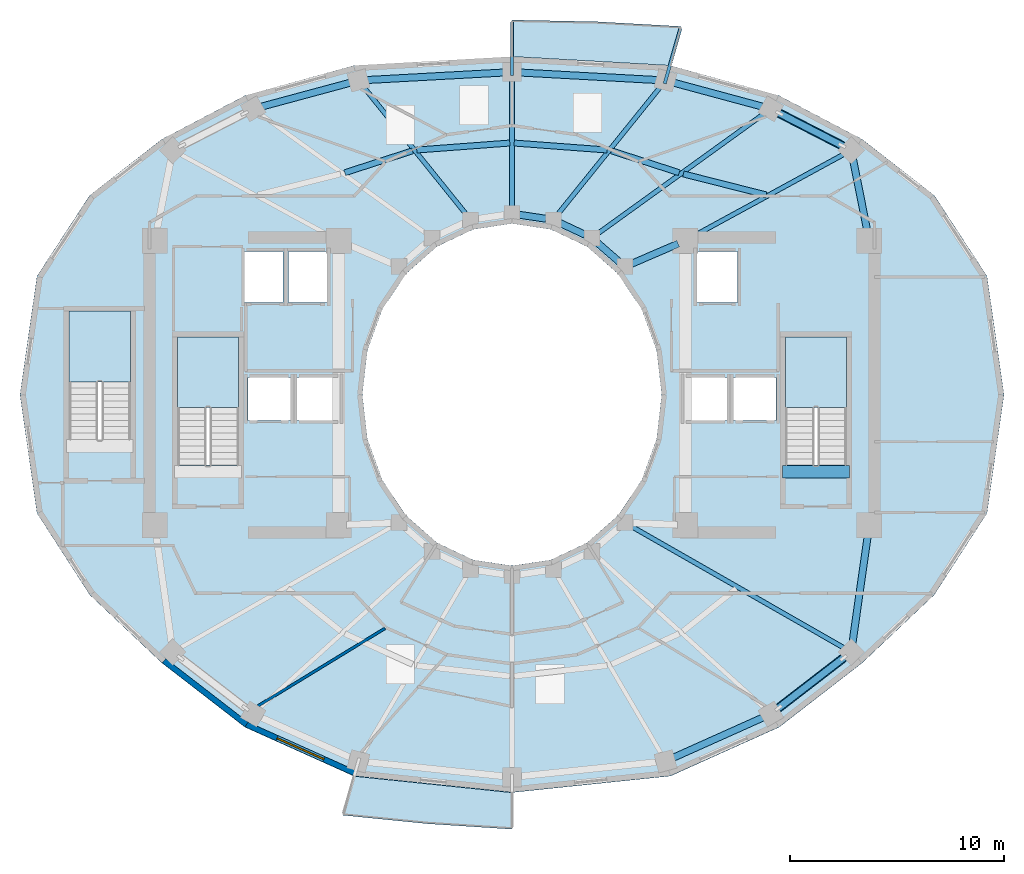
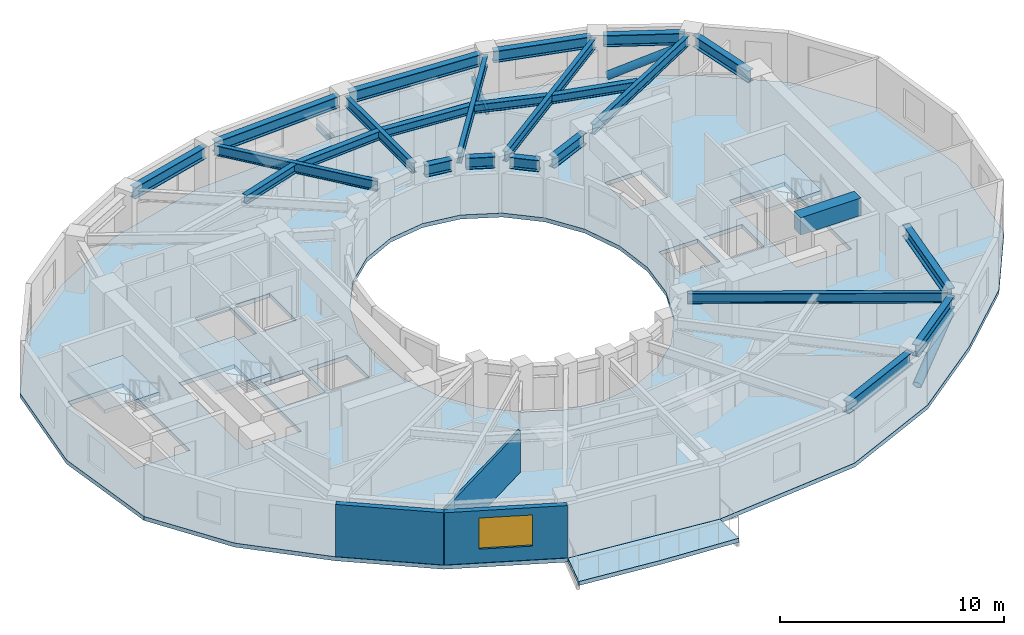
# One storey, part 2 of 9: 27 beams, 6 slabs, 3 walls, 2 members, 1 window, 1 opening, 3 elements without a shape of their own.
"""IFC4 building model written with IfcOpenShell, lengths in metres."""

from ifc_helpers import new_model, si_unit, direction, frame, frame_2d, origin, origin_2d, place, context, subcontext, project, spatial, polyline, rectangle, hollow_rectangle, hollow_circle, i_section, outline, extrude, material, layer, layer_set, material_profile, profile_set, type_object, element, fill, aggregate, save


model = new_model("IFC4")

# Units and contexts
model_context = context("Model", 3, precision=1e-05, world=origin(), true_north=direction((0.0, 1.0)))
body_context = subcontext(model_context, "Body", "Model", "MODEL_VIEW")
ifc_project = project(units=[si_unit("LENGTHUNIT", "METRE"), si_unit("AREAUNIT", "SQUARE_METRE"), si_unit("VOLUMEUNIT", "CUBIC_METRE"), si_unit("PLANEANGLEUNIT", "RADIAN"), si_unit("MASSUNIT", "GRAM", prefix="KILO")], contexts=[model_context])

# Site, building, storey
site_placement = place(None, origin())
site = spatial("IfcSite", under=ifc_project, at=site_placement, CompositionType="ELEMENT")
building_placement = place(site_placement, origin())
building = spatial("IfcBuilding", under=site, at=building_placement, Name="Solvane Sanctuary Tower", CompositionType="ELEMENT")
storey_placement = place(building_placement, frame((0.0, 0.0, 174.60009765625)))
storey = spatial("IfcBuildingStorey", under=building, at=storey_placement, Name="L53", CompositionType="ELEMENT", Elevation=174.60009765625)

# Beams
ifc_material_1 = material(Name="Steel ASTM A500 Grade C", Category="steel")
ifc_material_profile_1 = material_profile(ifc_material_1, hollow_rectangle(XDim=0.14990234375, YDim=0.300048828125, WallThickness=0.010009765625, at=origin_2d()), Name="HSS300X150X10")
ifc_profile_set_1 = profile_set([ifc_material_profile_1], Name="Steel ASTM A500 Grade C")
beam_type_1 = type_object("IfcBeamType", Name="Beam B-BALC-BRK HSS300X150X10", PredefinedType="BEAM", material=ifc_profile_set_1)
beam_1_placement = place(storey_placement, frame((39.136962890625, 37.54248046875, -0.3720703125), z_axis=(0.274985867497, 0.961448268331, 0.0), x_axis=(-0.961448268331, 0.274985867497, 0.0)))
element("IfcBeam", 1, at=beam_1_placement, inside=storey, type_object=beam_type_1, Name="L53 Balcony Bracket NC-1", PredefinedType="BEAM", context=body_context, shape_type="SweptSolid", body=[
    extrude(hollow_rectangle(XDim=0.14990234375, YDim=0.300048828125, WallThickness=0.010009765625, at=origin_2d()), origin(), (0.0, 0.0, 1.0), 2.679443359375),
])
beam_2_placement = place(storey_placement, frame((32.0, 37.929931640625, -0.3720703125), z_axis=(0.0, 1.0, 0.0), x_axis=(-1.0, 0.0, 0.0)))
element("IfcBeam", 2, at=beam_2_placement, inside=storey, type_object=beam_type_1, Name="L53 Balcony Bracket NC-2", PredefinedType="BEAM", context=body_context, shape_type="SweptSolid", body=[
    extrude(hollow_rectangle(XDim=0.14990234375, YDim=0.300048828125, WallThickness=0.010009765625, at=origin_2d()), origin(), (0.0, 0.0, 1.0), 2.484619140625),
])
ifc_material_2 = material(Name="Concrete C70/85", Category="concrete")
ifc_material_profile_2 = material_profile(ifc_material_2, rectangle(XDim=0.60009765625, YDim=0.949951171875, at=origin_2d()), Name="RC600X950")
ifc_profile_set_2 = profile_set([ifc_material_profile_2], Name="Concrete C70/85")
beam_type_2 = type_object("IfcBeamType", Name="Beam B-COUPLE RC600X950", PredefinedType="LINTEL", material=ifc_profile_set_2)
beam_3_placement = place(storey_placement, frame((44.64990234375, 19.399169921875, 2.625), z_axis=(1.0, 0.0, 0.0), x_axis=(0.0, 1.0, 0.0)))
element("IfcBeam", 3, at=beam_3_placement, inside=storey, type_object=beam_type_2, Name="L53 ST-2 Stair Floor Landing Trimmer", PredefinedType="LINTEL", context=body_context, shape_type="SweptSolid", body=[
    extrude(rectangle(XDim=0.60009765625, YDim=0.949951171875, at=origin_2d()), origin(), (0.0, 0.0, 1.0), 3.1201171875),
])
ifc_material_3 = material(Name="Steel ASTM A992 Grade 50", Category="steel")
ifc_material_profile_3 = material_profile(ifc_material_3, i_section(OverallWidth=0.214111328125, OverallDepth=0.549072265625, WebThickness=0.0146484375, FlangeThickness=0.023681640625, FilletRadius=0.014892578125, at=origin_2d()), Name="W21X93")
ifc_profile_set_3 = profile_set([ifc_material_profile_3], Name="Steel ASTM A992 Grade 50")
beam_type_3 = type_object("IfcBeamType", Name="Beam B-RAD-Z3 W21X93", PredefinedType="JOIST", material=ifc_profile_set_3)
beam_4_placement = place(storey_placement, frame((40.416015625, 30.372314453125, 2.603515625), z_axis=(0.878108435277, 0.478461676516, 0.0), x_axis=(-0.478461676516, 0.878108435277, 0.0)))
element("IfcBeam", 4, at=beam_4_placement, inside=storey, type_object=beam_type_3, Name="L53 Radial Composite Floor Beam 01", PredefinedType="JOIST", context=body_context, shape_type="SweptSolid", body=[
    extrude(i_section(OverallWidth=0.214111328125, OverallDepth=0.549072265625, WebThickness=0.0146484375, FlangeThickness=0.023681640625, FilletRadius=0.014892578125, at=origin_2d()), origin(), (0.0, 0.0, 1.0), 8.193359375),
])
beam_5_placement = place(storey_placement, frame((35.95703125, 30.490234375, 2.603515625), z_axis=(0.811184384633, 0.584790470277, 0.0), x_axis=(-0.584790470277, 0.811184384633, 0.0)))
element("IfcBeam", 5, at=beam_5_placement, inside=storey, type_object=beam_type_3, Name="L53 Radial Composite Floor Beam 02", PredefinedType="JOIST", context=body_context, shape_type="SweptSolid", body=[
    extrude(i_section(OverallWidth=0.214111328125, OverallDepth=0.549072265625, WebThickness=0.0146484375, FlangeThickness=0.023681640625, FilletRadius=0.014892578125, at=origin_2d()), origin(), (0.0, 0.0, 1.0), 9.756103515625),
])
beam_6_placement = place(storey_placement, frame((34.1064453125, 31.389892578125, 2.603515625), z_axis=(0.627296867999, 0.778780225352, 0.0), x_axis=(-0.778780225352, 0.627296867999, 0.0)))
element("IfcBeam", 6, at=beam_6_placement, inside=storey, type_object=beam_type_3, Name="L53 Radial Composite Floor Beam 03", PredefinedType="JOIST", context=body_context, shape_type="SweptSolid", body=[
    extrude(i_section(OverallWidth=0.214111328125, OverallDepth=0.549072265625, WebThickness=0.0146484375, FlangeThickness=0.023681640625, FilletRadius=0.014892578125, at=origin_2d()), origin(), (0.0, 0.0, 1.0), 7.805419921875),
])
beam_7_placement = place(storey_placement, frame((32.0, 31.739990234375, 2.603515625), z_axis=(0.0, 1.0, 0.0), x_axis=(-1.0, 0.0, 0.0)))
element("IfcBeam", 7, at=beam_7_placement, inside=storey, type_object=beam_type_3, Name="L53 Radial Composite Floor Beam 04", PredefinedType="JOIST", context=body_context, shape_type="SweptSolid", body=[
    extrude(i_section(OverallWidth=0.214111328125, OverallDepth=0.549072265625, WebThickness=0.0146484375, FlangeThickness=0.023681640625, FilletRadius=0.014892578125, at=origin_2d()), origin(), (0.0, 0.0, 1.0), 6.06005859375),
])
beam_8_placement = place(storey_placement, frame((29.8935546875, 31.389892578125, 2.603515625), z_axis=(-0.627296867999, 0.778780225352, 0.0), x_axis=(-0.778780225352, -0.627296867999, 0.0)))
element("IfcBeam", 8, at=beam_8_placement, inside=storey, type_object=beam_type_3, Name="L53 Radial Composite Floor Beam 05", PredefinedType="JOIST", context=body_context, shape_type="SweptSolid", body=[
    extrude(i_section(OverallWidth=0.214111328125, OverallDepth=0.549072265625, WebThickness=0.0146484375, FlangeThickness=0.023681640625, FilletRadius=0.014892578125, at=origin_2d()), origin(), (0.0, 0.0, 1.0), 7.805419921875),
])
beam_9_placement = place(storey_placement, frame((37.51806640625, 16.87890625, 2.603515625), z_axis=(0.86816302692, -0.496279113694, 0.0), x_axis=(0.496279113694, 0.86816302692, 0.0)))
element("IfcBeam", 9, at=beam_9_placement, inside=storey, type_object=beam_type_3, Name="L53 Radial Composite Floor Beam 14", PredefinedType="JOIST", context=body_context, shape_type="SweptSolid", body=[
    extrude(i_section(OverallWidth=0.214111328125, OverallDepth=0.549072265625, WebThickness=0.0146484375, FlangeThickness=0.023681640625, FilletRadius=0.014892578125, at=origin_2d()), origin(), (0.0, 0.0, 1.0), 11.62841796875),
])
ifc_material_profile_4 = material_profile(ifc_material_3, i_section(OverallWidth=0.324951171875, OverallDepth=0.615966796875, WebThickness=0.013916015625, FlangeThickness=0.021484375, FilletRadius=0.01611328125, at=origin_2d()), Name="W24X117")
ifc_profile_set_4 = profile_set([ifc_material_profile_4], Name="Steel ASTM A992 Grade 50")
beam_type_4 = type_object("IfcBeamType", Name="Beam B-RING-IN2 W24X117", PredefinedType="BEAM", material=ifc_profile_set_4)
beam_10_placement = place(storey_placement, frame((32.34130859375, 31.4091796875, 2.56982421875), z_axis=(0.989019905763, -0.147782360259, 0.0), x_axis=(0.147782360259, 0.989019905763, 0.0)))
element("IfcBeam", 10, at=beam_10_placement, inside=storey, type_object=beam_type_4, Name="L53 Inner Light-Well Ring Beam IC04-IC03", PredefinedType="BEAM", context=body_context, shape_type="SweptSolid", body=[
    extrude(i_section(OverallWidth=0.324951171875, OverallDepth=0.615966796875, WebThickness=0.013916015625, FlangeThickness=0.021484375, FilletRadius=0.01611328125, at=origin_2d()), origin(), (0.0, 0.0, 1.0), 1.26220703125),
])
beam_11_placement = place(storey_placement, frame((34.2431640625, 31.02490234375, 2.56982421875), z_axis=(0.9051808128, -0.425026700502, 0.0), x_axis=(0.425026700502, 0.9051808128, 0.0)))
element("IfcBeam", 11, at=beam_11_placement, inside=storey, type_object=beam_type_4, Name="L53 Inner Light-Well Ring Beam IC03-IC02", PredefinedType="BEAM", context=body_context, shape_type="SweptSolid", body=[
    extrude(i_section(OverallWidth=0.324951171875, OverallDepth=0.615966796875, WebThickness=0.013916015625, FlangeThickness=0.021484375, FilletRadius=0.01611328125, at=origin_2d()), origin(), (0.0, 0.0, 1.0), 1.297607421875),
])
beam_12_placement = place(storey_placement, frame((35.990234375, 30.10009765625, 2.56982421875), z_axis=(0.754311313851, -0.656516901379, 0.0), x_axis=(0.656516901379, 0.754311313851, 0.0)))
element("IfcBeam", 12, at=beam_12_placement, inside=storey, type_object=beam_type_4, Name="L53 Inner Light-Well Ring Beam IC02-IC01", PredefinedType="BEAM", context=body_context, shape_type="SweptSolid", body=[
    extrude(i_section(OverallWidth=0.324951171875, OverallDepth=0.615966796875, WebThickness=0.013916015625, FlangeThickness=0.021484375, FilletRadius=0.01611328125, at=origin_2d()), origin(), (0.0, 0.0, 1.0), 1.358154296875),
])
beam_13_placement = place(storey_placement, frame((37.591796875, 29.11865234375, 2.56982421875), z_axis=(0.918264067649, 0.395968561966, 0.0), x_axis=(-0.395968561966, 0.918264067649, 0.0)))
element("IfcBeam", 13, at=beam_13_placement, inside=storey, type_object=beam_type_4, Name="L53 Inner Light-Well Ring Beam IC01-CE4", PredefinedType="BEAM", context=body_context, shape_type="SweptSolid", body=[
    extrude(i_section(OverallWidth=0.324951171875, OverallDepth=0.615966796875, WebThickness=0.013916015625, FlangeThickness=0.021484375, FilletRadius=0.01611328125, at=origin_2d()), origin(), (0.0, 0.0, 1.0), 2.371337890625),
])
ifc_material_profile_5 = material_profile(ifc_material_3, i_section(OverallWidth=0.280029296875, OverallDepth=0.462890625, WebThickness=0.0107421875, FlangeThickness=0.017333984375, FilletRadius=0.013916015625, at=origin_2d()), Name="W18X76")
ifc_profile_set_5 = profile_set([ifc_material_profile_5], Name="Steel ASTM A992 Grade 50")
beam_type_5 = type_object("IfcBeamType", Name="Beam B-SEC-JOIST W18X76", PredefinedType="JOIST", material=ifc_profile_set_5)
beam_14_placement = place(storey_placement, frame((24.18310546875, 33.37451171875, 2.646484375), z_axis=(0.951520984169, 0.307583836842, 0.0), x_axis=(-0.307583836842, 0.951520984169, 0.0)))
element("IfcBeam", 14, at=beam_14_placement, inside=storey, type_object=beam_type_5, Name="L53 Secondary Circumferential Joist 06-05", PredefinedType="JOIST", context=body_context, shape_type="SweptSolid", body=[
    extrude(i_section(OverallWidth=0.280029296875, OverallDepth=0.462890625, WebThickness=0.0107421875, FlangeThickness=0.017333984375, FilletRadius=0.013916015625, at=origin_2d()), origin(), (0.0, 0.0, 1.0), 3.32666015625),
])
for number, where, z_axis, x_axis, name in (
    (15, (27.547119140625, 34.436767578125, 2.646484375), (0.99721035762, 0.074642498994, 0.0), (-0.074642498994, 0.99721035762, 0.0), "L53 Secondary Circumferential Joist 05-04"),
    (16, (32.101806640625, 34.762451171875, 2.646484375), (0.99721035762, -0.074642498994, 0.0), (0.074642498994, 0.99721035762, 0.0), "L53 Secondary Circumferential Joist 04-03"),
):
    element("IfcBeam", number, at=place(storey_placement, frame(where, z_axis=z_axis, x_axis=x_axis)), inside=storey, type_object=beam_type_5, Name=name, PredefinedType="JOIST", context=body_context, shape_type="SweptSolid", body=[
        extrude(i_section(OverallWidth=0.280029296875, OverallDepth=0.462890625, WebThickness=0.0107421875, FlangeThickness=0.017333984375, FilletRadius=0.013916015625, at=origin_2d()), origin(), (0.0, 0.0, 1.0), 4.36328125),
    ])
beam_15_placement = place(storey_placement, frame((36.651611328125, 34.397705078125, 2.646484375), z_axis=(0.951520984169, -0.307583836842, 0.0), x_axis=(0.307583836842, 0.951520984169, 0.0)))
element("IfcBeam", 17, at=beam_15_placement, inside=storey, type_object=beam_type_5, Name="L53 Secondary Circumferential Joist 03-02", PredefinedType="JOIST", context=body_context, shape_type="SweptSolid", body=[
    extrude(i_section(OverallWidth=0.280029296875, OverallDepth=0.462890625, WebThickness=0.0107421875, FlangeThickness=0.017333984375, FilletRadius=0.013916015625, at=origin_2d()), origin(), (0.0, 0.0, 1.0), 3.32666015625),
])
beam_16_placement = place(storey_placement, frame((40.012939453125, 33.31787109375, 2.646484375), z_axis=(0.969378020231, -0.245573316737, 0.0), x_axis=(0.245573316737, 0.969378020231, 0.0)))
element("IfcBeam", 18, at=beam_16_placement, inside=storey, type_object=beam_type_5, Name="L53 Secondary Circumferential Joist 02-01", PredefinedType="JOIST", context=body_context, shape_type="SweptSolid", body=[
    extrude(i_section(OverallWidth=0.280029296875, OverallDepth=0.462890625, WebThickness=0.0107421875, FlangeThickness=0.017333984375, FilletRadius=0.013916015625, at=origin_2d()), origin(), (0.0, 0.0, 1.0), 3.988525390625),
])
ifc_material_profile_6 = material_profile(ifc_material_3, i_section(OverallWidth=0.327880859375, OverallDepth=0.6279296875, WebThickness=0.0166015625, FlangeThickness=0.027587890625, FilletRadius=0.01611328125, at=origin_2d()), Name="W24X146")
ifc_profile_set_6 = profile_set([ifc_material_profile_6], Name="Steel ASTM A992 Grade 50")
beam_type_6 = type_object("IfcBeamType", Name="Beam B-SPAND-Z3 W24X146", PredefinedType="SPANDREL", material=ifc_profile_set_6)
beam_17_placement = place(storey_placement, frame((20.172119140625, 36.43212890625, 2.56396484375), z_axis=(0.965473224565, 0.260502308334, 0.0), x_axis=(-0.260502308334, 0.965473224565, 0.0)))
element("IfcBeam", 19, at=beam_17_placement, inside=storey, type_object=beam_type_6, Name="L53 Perimeter Spandrel Beam TC06-TC05", PredefinedType="SPANDREL", context=body_context, shape_type="SweptSolid", body=[
    extrude(i_section(OverallWidth=0.327880859375, OverallDepth=0.6279296875, WebThickness=0.0166015625, FlangeThickness=0.027587890625, FilletRadius=0.01611328125, at=origin_2d()), origin(), (0.0, 0.0, 1.0), 4.535888671875),
])
for number, where, z_axis, x_axis, name in (
    (20, (25.101318359375, 37.701904296875, 2.56396484375), (0.998501325362, 0.054727536496, 0.0), (-0.054727536496, 0.998501325362, 0.0), "L53 Perimeter Spandrel Beam TC05-TC04"),
    (21, (32.279541015625, 38.064697265625, 2.56396484375), (0.998501325362, -0.054727536496, 0.0), (0.054727536496, 0.998501325362, 0.0), "L53 Perimeter Spandrel Beam TC04-TC03"),
):
    element("IfcBeam", number, at=place(storey_placement, frame(where, z_axis=z_axis, x_axis=x_axis)), inside=storey, type_object=beam_type_6, Name=name, PredefinedType="SPANDREL", context=body_context, shape_type="SweptSolid", body=[
        extrude(i_section(OverallWidth=0.327880859375, OverallDepth=0.6279296875, WebThickness=0.0166015625, FlangeThickness=0.027587890625, FilletRadius=0.01611328125, at=origin_2d()), origin(), (0.0, 0.0, 1.0), 6.629150390625),
    ])
beam_18_placement = place(storey_placement, frame((39.448486328125, 37.61376953125, 2.56396484375), z_axis=(0.965473224565, -0.260502308334, 0.0), x_axis=(0.260502308334, 0.965473224565, 0.0)))
element("IfcBeam", 22, at=beam_18_placement, inside=storey, type_object=beam_type_6, Name="L53 Perimeter Spandrel Beam TC03-TC02", PredefinedType="SPANDREL", context=body_context, shape_type="SweptSolid", body=[
    extrude(i_section(OverallWidth=0.327880859375, OverallDepth=0.6279296875, WebThickness=0.0166015625, FlangeThickness=0.027587890625, FilletRadius=0.01611328125, at=origin_2d()), origin(), (0.0, 0.0, 1.0), 4.535888671875),
])
beam_19_placement = place(storey_placement, frame((44.34716796875, 36.231201171875, 2.56396484375), z_axis=(0.889295540094, -0.457332966632, 0.0), x_axis=(0.457332966632, 0.889295540094, 0.0)))
element("IfcBeam", 23, at=beam_19_placement, inside=storey, type_object=beam_type_6, Name="L53 Perimeter Spandrel Beam TC02-TC01", PredefinedType="SPANDREL", context=body_context, shape_type="SweptSolid", body=[
    extrude(i_section(OverallWidth=0.327880859375, OverallDepth=0.6279296875, WebThickness=0.0166015625, FlangeThickness=0.027587890625, FilletRadius=0.01611328125, at=origin_2d()), origin(), (0.0, 0.0, 1.0), 3.66650390625),
])
beam_20_placement = place(storey_placement, frame((47.911376953125, 34.15185546875, 2.56396484375), z_axis=(0.195715452505, -0.980660727087, 0.0), x_axis=(0.980660727087, 0.195715452505, 0.0)))
element("IfcBeam", 24, at=beam_20_placement, inside=storey, type_object=beam_type_6, Name="L53 Perimeter Spandrel Beam TC01-CE3", PredefinedType="SPANDREL", context=body_context, shape_type="SweptSolid", body=[
    extrude(i_section(OverallWidth=0.327880859375, OverallDepth=0.6279296875, WebThickness=0.0166015625, FlangeThickness=0.027587890625, FilletRadius=0.01611328125, at=origin_2d()), origin(), (0.0, 0.0, 1.0), 3.749755859375),
])
beam_21_placement = place(storey_placement, frame((39.433837890625, 5.97998046875, 2.56396484375), z_axis=(0.912414349424, 0.409267705744, 0.0), x_axis=(-0.409267705744, 0.912414349424, 0.0)))
element("IfcBeam", 25, at=beam_21_placement, inside=storey, type_object=beam_type_6, Name="L53 Perimeter Spandrel Beam TC12-TC13", PredefinedType="SPANDREL", context=body_context, shape_type="SweptSolid", body=[
    extrude(i_section(OverallWidth=0.327880859375, OverallDepth=0.6279296875, WebThickness=0.0166015625, FlangeThickness=0.027587890625, FilletRadius=0.01611328125, at=origin_2d()), origin(), (0.0, 0.0, 1.0), 4.831787109375),
])
beam_22_placement = place(storey_placement, frame((44.31982421875, 8.242919921875, 2.56396484375), z_axis=(0.792020773873, 0.610494139001, 0.0), x_axis=(-0.610494139001, 0.792020773873, 0.0)))
element("IfcBeam", 26, at=beam_22_placement, inside=storey, type_object=beam_type_6, Name="L53 Perimeter Spandrel Beam TC13-TC14", PredefinedType="SPANDREL", context=body_context, shape_type="SweptSolid", body=[
    extrude(i_section(OverallWidth=0.327880859375, OverallDepth=0.6279296875, WebThickness=0.0166015625, FlangeThickness=0.027587890625, FilletRadius=0.01611328125, at=origin_2d()), origin(), (0.0, 0.0, 1.0), 4.185302734375),
])
beam_23_placement = place(storey_placement, frame((47.89599609375, 11.24609375, 2.56396484375), z_axis=(0.140798255486, 0.990038307972, 0.0), x_axis=(-0.990038307972, 0.140798255486, 0.0)))
element("IfcBeam", 27, at=beam_23_placement, inside=storey, type_object=beam_type_6, Name="L53 Perimeter Spandrel Beam TC14-CE2", PredefinedType="SPANDREL", context=body_context, shape_type="SweptSolid", body=[
    extrude(i_section(OverallWidth=0.327880859375, OverallDepth=0.6279296875, WebThickness=0.0166015625, FlangeThickness=0.027587890625, FilletRadius=0.01611328125, at=origin_2d()), origin(), (0.0, 0.0, 1.0), 5.430908203125),
])

# Members
ifc_material_profile_7 = material_profile(ifc_material_3, hollow_circle(Radius=0.202880859375, WallThickness=0.012451171875, at=origin_2d()), Name="CHS406X12.5")
ifc_profile_set_7 = profile_set([ifc_material_profile_7], Name="Steel ASTM A992 Grade 50")
member_type = type_object("IfcMemberType", Name="Member M-TUBE-Z3 CHS406X12.5", PredefinedType="BRACE", material=ifc_profile_set_7)
member_1_placement = place(storey_placement, frame((44.5068359375, 36.149169921875, 0.583251953125), z_axis=(0.813229340921, -0.418236115998, 0.404643782036), x_axis=(0.457351371069, 0.889286075108, 0.0)))
element("IfcMember", 28, at=member_1_placement, inside=storey, type_object=member_type, Name="L53 Perimeter Braced-Tube Diagonal NE", PredefinedType="BRACE", context=body_context, shape_type="SweptSolid", body=[
    extrude(hollow_circle(Radius=0.202880859375, WallThickness=0.012451171875, at=origin_2d()), origin(), (0.0, 0.0, 1.0), 3.59228515625),
])
member_2_placement = place(storey_placement, frame((44.465087890625, 8.354736328125, 0.5625), z_axis=(0.73686018058, 0.568005062922, 0.366616042707), x_axis=(-0.610513708364, 0.792005689311, 0.0)))
element("IfcMember", 29, at=member_2_placement, inside=storey, type_object=member_type, Name="L53 Perimeter Braced-Tube Diagonal SE", PredefinedType="BRACE", context=body_context, shape_type="SweptSolid", body=[
    extrude(hollow_circle(Radius=0.202880859375, WallThickness=0.012451171875, at=origin_2d()), origin(), (0.0, 0.0, 1.0), 4.104736328125),
])

# Slabs
ifc_material_4 = material(Name="Precast concrete C40/50", Category="concrete")
ifc_layer_1 = layer(ifc_material_4, 0.219970703125, Name="Precast concrete C40/50")
ifc_layer_set_1 = layer_set([ifc_layer_1], Name="Precast concrete C40/50")
slab_type_1 = type_object("IfcSlabType", Name="Slab SL-BALC-200", PredefinedType="FLOOR", material=ifc_layer_set_1)
slab_1_placement = place(storey_placement, frame((0.0, 0.0, -0.22021484375)))
element("IfcSlab", 30, at=slab_1_placement, inside=storey, type_object=slab_type_1, Name="L53 Wave Balcony Slab NC", PredefinedType="FLOOR", context=body_context, shape_type="SweptSolid", body=[
    extrude(outline(polyline([(39.9013671875, 40.214599609375), (35.947998046875, 40.43603515625), (32.0, 40.514404296875), (32.000244140625, 38.803955078125), (39.410400390625, 38.3857421875), (39.9013671875, 40.214599609375)])), origin(), (0.0, 0.0, 1.0), 0.22021484375),
])
slab_2_placement = place(storey_placement, frame((0.0, 0.0, -0.22021484375)))
element("IfcSlab", 31, at=slab_2_placement, inside=storey, type_object=slab_type_1, Name="L53 Wave Balcony Slab SC", PredefinedType="FLOOR", context=body_context, shape_type="SweptSolid", body=[
    extrude(outline(polyline([(24.0986328125, 3.33740234375), (28.052001953125, 2.93994140625), (32.0, 2.685546875), (31.99951171875, 4.39599609375), (24.58935546875, 5.166259765625), (24.0986328125, 3.33740234375)])), origin(), (0.0, 0.0, 1.0), 0.22021484375),
])

# Stair, slab
ifc_material_5 = material(Name="Concrete C45/55", Category="concrete")
stair_type = type_object("IfcStairType", Name="Stair ST-TOW", PredefinedType="HALF_TURN_STAIR", material=ifc_material_5)
stair_1_placement = place(storey_placement, origin())
stair_1 = element("IfcStair", 32, at=stair_1_placement, inside=storey, type_object=stair_type, Name="L53 Exit Stair ST-1 West Core", PredefinedType="HALF_TURN_STAIR")
ifc_layer_2 = layer(ifc_material_5, 0.199951171875, Name="Concrete C45/55")
ifc_layer_set_2 = layer_set([ifc_layer_2], Name="Concrete C45/55")
slab_type_2 = type_object("IfcSlabType", Name="Slab SL-LAND-180", PredefinedType="LANDING", material=ifc_layer_set_2)
slab_3_placement = place(storey_placement, frame((0.0, 0.0, 1.349853515625)))
slab_3 = element("IfcSlab", 33, at=slab_3_placement, type_object=slab_type_2, Name="ST-1 landing 1", PredefinedType="LANDING", context=body_context, shape_type="SweptSolid", body=[
    extrude(outline(polyline([(19.219970703125, 22.39990234375), (19.219970703125, 25.699951171875), (16.360107421875, 25.699951171875), (16.360107421875, 22.39990234375), (19.219970703125, 22.39990234375)])), origin(), (0.0, 0.0, 1.0), 0.199951171875),
])
aggregate(stair_1, [slab_3])

stair_2_placement = place(storey_placement, origin())
stair_2 = element("IfcStair", 34, at=stair_2_placement, inside=storey, type_object=stair_type, Name="L53 Exit Stair ST-2 East Core", PredefinedType="HALF_TURN_STAIR")
slab_4_placement = place(storey_placement, frame((0.0, 0.0, 1.349853515625)))
slab_4 = element("IfcSlab", 35, at=slab_4_placement, type_object=slab_type_2, Name="ST-2 landing 1", PredefinedType="LANDING", context=body_context, shape_type="SweptSolid", body=[
    extrude(outline(polyline([(47.639892578125, 22.39990234375), (47.639892578125, 25.699951171875), (44.780029296875, 25.699951171875), (44.780029296875, 22.39990234375), (47.639892578125, 22.39990234375)])), origin(), (0.0, 0.0, 1.0), 0.199951171875),
])
aggregate(stair_2, [slab_4])

stair_3_placement = place(storey_placement, origin())
stair_3 = element("IfcStair", 36, at=stair_3_placement, inside=storey, type_object=stair_type, Name="L53 Exit Stair ST-3 Pilgrim Tower Stair", PredefinedType="HALF_TURN_STAIR")
slab_5_placement = place(storey_placement, frame((0.0, 0.0, 1.349853515625)))
slab_5 = element("IfcSlab", 37, at=slab_5_placement, type_object=slab_type_2, Name="ST-3 landing 1", PredefinedType="LANDING", context=body_context, shape_type="SweptSolid", body=[
    extrude(outline(polyline([(14.159912109375, 23.60009765625), (14.159912109375, 26.89990234375), (11.300048828125, 26.89990234375), (11.300048828125, 23.60009765625), (14.159912109375, 23.60009765625)])), origin(), (0.0, 0.0, 1.0), 0.199951171875),
])
aggregate(stair_3, [slab_5])

# Slab
ifc_material_6 = material(Name="Concrete C50/60", Category="concrete")
ifc_layer_3 = layer(ifc_material_6, 0.219970703125, Name="Concrete C50/60")
ifc_layer_set_3 = layer_set([ifc_layer_3], Name="Concrete C50/60")
slab_type_3 = type_object("IfcSlabType", Name="Slab SL-TOW-250", PredefinedType="FLOOR", material=ifc_layer_set_3)
slab_6_placement = place(storey_placement, frame((0.0, 0.0, -0.22021484375)))
element("IfcSlab", 38, at=slab_6_placement, inside=storey, type_object=slab_type_3, Name="L53 Primary Structural Slab", PredefinedType="FLOOR", context=body_context, shape_type="SweptSolid", body=[
    extrude(outline(polyline([(55.0, 23.0), (54.205322265625, 28.54150390625), (51.7392578125, 32.3193359375), (48.368896484375, 34.938720703125), (44.489013671875, 36.977294921875), (39.410400390625, 38.3818359375), (32.0, 38.800048828125), (24.589599609375, 38.3818359375), (19.510986328125, 36.977294921875), (15.631103515625, 34.938720703125), (12.2607421875, 32.3193359375), (9.794677734375, 28.54150390625), (9.0, 23.0), (9.794677734375, 17.45849609375), (12.2607421875, 13.639892578125), (15.631103515625, 10.45654296875), (19.510986328125, 7.4541015625), (24.589599609375, 5.17041015625), (32.0, 4.39990234375), (39.410400390625, 5.17041015625), (44.489013671875, 7.4541015625), (48.368896484375, 10.45654296875), (51.7392578125, 13.639892578125), (54.205322265625, 17.45849609375), (55.0, 23.0)]), holes=[polyline([(38.761474609375, 20.929443359375), (38.062255859375, 19.0), (36.94970703125, 17.343017578125), (35.5, 16.07177734375), (33.811767578125, 15.272705078125), (32.0, 15.0), (30.188232421875, 15.272705078125), (28.5, 16.07177734375), (27.05029296875, 17.343017578125), (25.937744140625, 19.0), (25.238525390625, 20.929443359375), (25.0, 23.0), (25.238525390625, 25.070556640625), (25.937744140625, 27.0), (27.05029296875, 28.656982421875), (28.5, 29.92822265625), (30.188232421875, 30.727294921875), (32.0, 31.0), (33.811767578125, 30.727294921875), (35.5, 29.92822265625), (36.94970703125, 28.656982421875), (38.062255859375, 27.0), (38.761474609375, 25.070556640625), (39.0, 23.0), (38.761474609375, 20.929443359375)]), polyline([(16.360107421875, 19.699951171875), (16.360107421875, 25.699951171875), (19.219970703125, 25.699951171875), (19.219970703125, 19.699951171875), (16.360107421875, 19.699951171875)]), polyline([(44.780029296875, 19.699951171875), (44.780029296875, 25.699951171875), (47.639892578125, 25.699951171875), (47.639892578125, 19.699951171875), (44.780029296875, 19.699951171875)]), polyline([(11.300048828125, 20.89990234375), (11.300048828125, 26.89990234375), (14.159912109375, 26.89990234375), (14.159912109375, 20.89990234375), (11.300048828125, 20.89990234375)]), polyline([(19.64990234375, 23.800048828125), (21.64990234375, 23.800048828125), (21.64990234375, 21.800048828125), (19.64990234375, 21.800048828125), (19.64990234375, 23.800048828125)]), polyline([(42.35009765625, 23.800048828125), (44.35009765625, 23.800048828125), (44.35009765625, 21.800048828125), (42.35009765625, 21.800048828125), (42.35009765625, 23.800048828125)]), polyline([(21.949951171875, 23.800048828125), (23.949951171875, 23.800048828125), (23.949951171875, 21.800048828125), (21.949951171875, 21.800048828125), (21.949951171875, 23.800048828125)]), polyline([(40.050048828125, 23.800048828125), (42.050048828125, 23.800048828125), (42.050048828125, 21.800048828125), (40.050048828125, 21.800048828125), (40.050048828125, 23.800048828125)]), polyline([(19.5, 29.699951171875), (21.300048828125, 29.699951171875), (21.300048828125, 27.300048828125), (19.5, 27.300048828125), (19.5, 29.699951171875)]), polyline([(21.550048828125, 29.699951171875), (23.35009765625, 29.699951171875), (23.35009765625, 27.300048828125), (21.550048828125, 27.300048828125), (21.550048828125, 29.699951171875)]), polyline([(40.64990234375, 29.699951171875), (42.550048828125, 29.699951171875), (42.550048828125, 27.300048828125), (40.64990234375, 27.300048828125), (40.64990234375, 29.699951171875)])]), origin(), (0.0, 0.0, 1.0), 0.22021484375),
])

# Wall
ifc_layer_4 = layer(ifc_material_4, 0.260009765625, Name="Precast concrete C40/50")
ifc_layer_set_4 = layer_set([ifc_layer_4], Name="Precast concrete C40/50")
wall_type_1 = type_object("IfcWallType", Name="Wall W-EXT-250", PredefinedType="STANDARD", material=ifc_layer_set_4)
wall_1_placement = place(storey_placement, frame((15.730712890625, 10.55859375, 0.0), z_axis=(0.0, 0.0, 1.0), x_axis=(0.791460185804, -0.611220724687, 0.0)))
element("IfcWall", 39, at=wall_1_placement, inside=storey, type_object=wall_type_1, Name="L53 Ceramic-Printed Facade Wall 15", PredefinedType="STANDARD", context=body_context, shape_type="SweptSolid", body=[
    extrude(rectangle(XDim=4.872314453125, YDim=0.260009765625, at=frame_2d((2.43603515625, 0.0))), origin(), (0.0, 0.0, 1.0), 2.849853515625),
])

# Wall, opening, window
wall_2_placement = place(storey_placement, frame((19.5869140625, 7.58056640625, 0.0), z_axis=(0.0, 0.0, 1.0), x_axis=(0.912353637112, -0.409403029847, 0.0)))
wall_2 = element("IfcWall", 40, at=wall_2_placement, inside=storey, type_object=wall_type_1, Name="L53 Ceramic-Printed Facade Wall 16", PredefinedType="STANDARD", context=body_context, shape_type="SweptSolid", body=[
    extrude(rectangle(XDim=5.53271484375, YDim=0.260009765625, at=frame_2d((2.766357421875, 0.0))), origin(), (0.0, 0.0, 1.0), 2.849853515625),
])
opening_placement = place(wall_2_placement, frame((1.56640625, 0.0, 0.75)))
opening = element("IfcOpeningElement", 41, at=opening_placement, cuts=wall_2, Name="Opening WN-RIB-2400", PredefinedType="OPENING", context=body_context, shape_type="SweptSolid", body=[
    extrude(rectangle(XDim=2.39990234375, YDim=1.699951171875, at=frame_2d((1.199951171875, 0.85009765625))), frame((0.0, 0.139892578125, 0.0), z_axis=(0.0, -1.0, 0.0), x_axis=(1.0, 0.0, 0.0)), (0.0, 0.0, 1.0), 0.280029296875),
])
ifc_material_7 = material(Name="Dark Ceramic-Fritted Low-E Glass", Category="glass")
window_type = type_object("IfcWindowType", Name="Window WN-RIB-2400", PartitioningType="SINGLE_PANEL", PredefinedType="WINDOW", material=ifc_material_7)
window_placement = place(opening_placement, origin())
window = element("IfcWindow", 42, at=window_placement, inside=storey, type_object=window_type, Name="L53 Operable Facade Window 16", OverallHeight=1.699951171875, OverallWidth=2.39990234375, PartitioningType="SINGLE_PANEL", PredefinedType="WINDOW", context=body_context, shape_type="SweptSolid", body=[
    extrude(rectangle(XDim=2.39990234375, YDim=1.699951171875, at=frame_2d((1.199951171875, 0.85009765625))), frame((0.0, 0.030029296875, 0.0), z_axis=(0.0, -1.0, 0.0), x_axis=(1.0, 0.0, 0.0)), (0.0, 0.0, 1.0), 0.06005859375),
])
fill(opening, window)

# Wall
ifc_material_8 = material(Name="Acoustic Gypsum Partition Board")
ifc_layer_5 = layer(ifc_material_8, 0.125, Name="Acoustic Gypsum Partition Board")
ifc_layer_set_5 = layer_set([ifc_layer_5], Name="Acoustic Gypsum Partition Board")
wall_type_2 = type_object("IfcWallType", Name="Wall W-PART-125", PredefinedType="PARTITIONING", material=ifc_layer_set_5)
wall_3_placement = place(storey_placement, frame((26.06201171875, 12.074951171875, 0.0), z_axis=(0.0, 0.0, 1.0), x_axis=(-0.853440334679, -0.521190555501, 0.0)))
element("IfcWall", 43, at=wall_3_placement, inside=storey, type_object=wall_type_2, Name="L53 Radial Compartment Wall 240", PredefinedType="PARTITIONING", context=body_context, shape_type="SweptSolid", body=[
    extrude(rectangle(XDim=6.966064453125, YDim=0.125, at=frame_2d((3.48291015625, 0.0))), origin(), (0.0, 0.0, 1.0), 2.298828125),
])

save(model, "model.ifc")
